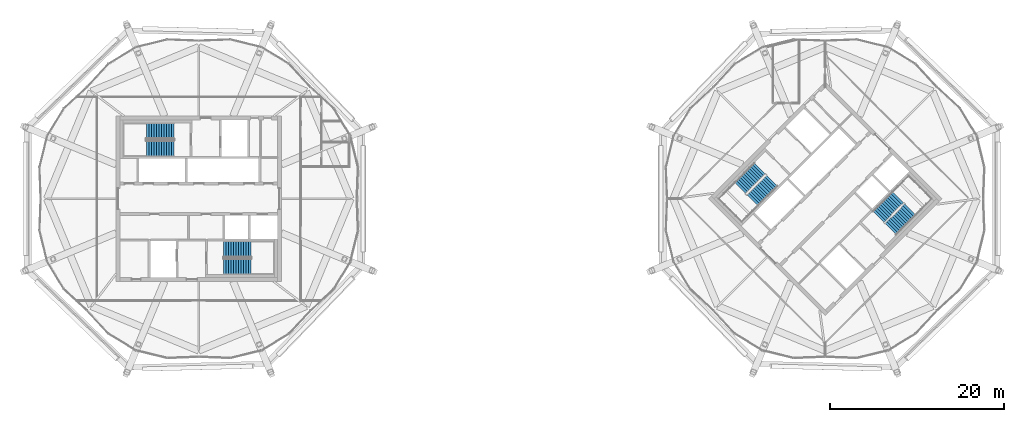
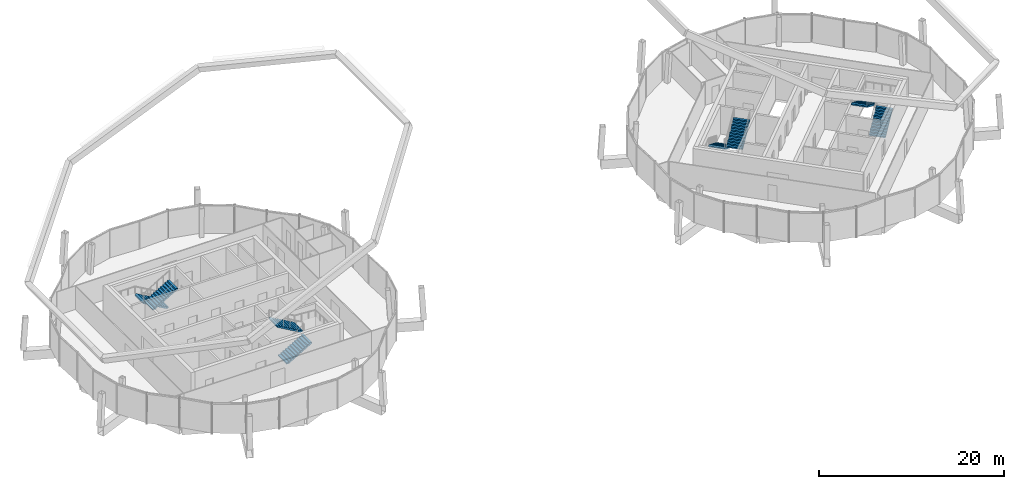
# One storey, part 32 of 34: 8 stair flights, 4 elements without a shape of their own.
"""IFC4 building model written with IfcOpenShell, lengths in metres."""

import ifcopenshell
import ifcopenshell.guid

model = None  # the IFC model being written
_history = None  # IfcOwnerHistory: only IFC2X3 demands one
_inside = {}  # id of a spatial element -> (the spatial element, [elements in it])
_under = {}  # id of a project, library or spatial element -> (it, [spatial elements below it])
_declared = {}  # id of a project -> (the project, [libraries it declares])
_typed = {}  # id of a type object -> (the type object, [elements of that type])
_made_of = {}  # id of a material, layer set ... -> (it, [elements and type objects made of it])


def new_model(schema):
    """Start an empty IFC model of exactly this schema.

    Asked for "IFC4X3", IfcOpenShell would pick the latest addendum, in which some entities
    have other attributes; the version numbers below select the first issue.
    IFC2X3 requires an IfcOwnerHistory on every rooted entity: one is made here for all.
    """
    global model, _history
    if schema == "IFC4X3":
        model = ifcopenshell.file(schema_version=(4, 3, 0, 0))
    else:
        model = ifcopenshell.file(schema=schema)
    _inside.clear()
    _under.clear()
    _declared.clear()
    _typed.clear()
    _made_of.clear()
    _history = None
    if model.schema == "IFC2X3":
        org = make("IfcOrganization", Name="unknown")
        user = make(
            "IfcPersonAndOrganization",
            ThePerson=make("IfcPerson", FamilyName="unknown"),
            TheOrganization=org,
        )
        app = make(
            "IfcApplication",
            ApplicationDeveloper=org,
            Version="unknown",
            ApplicationFullName="unknown",
            ApplicationIdentifier="unknown",
        )
        _history = make(
            "IfcOwnerHistory",
            OwningUser=user,
            OwningApplication=app,
            ChangeAction="ADDED",
            CreationDate=0,
        )
    return model


def make(cls, **values):
    """One entity of the class cls with the attributes given. An attribute that is None is left unset."""
    return model.create_entity(
        cls, **{name: value for name, value in values.items() if value is not None}
    )


def rooted(cls, **values):
    """An entity with a GlobalId (a new one), such as an element, a storey or a relation."""
    return make(cls, GlobalId=ifcopenshell.guid.new(), OwnerHistory=_history, **values)


def si_unit(unit_type, name, prefix=None):
    """IfcSIUnit, for example si_unit("LENGTHUNIT", "METRE", prefix="MILLI")."""
    return make("IfcSIUnit", UnitType=unit_type, Prefix=prefix, Name=name)


def assignment(units):
    """IfcUnitAssignment: the units of a project."""
    return None if units is None else make("IfcUnitAssignment", Units=units)


def point(xyz):
    """IfcCartesianPoint."""
    return None if xyz is None else make("IfcCartesianPoint", Coordinates=xyz)


def direction(xyz):
    """IfcDirection."""
    return None if xyz is None else make("IfcDirection", DirectionRatios=xyz)


def frame(location, z_axis=None, x_axis=None):
    """IfcAxis2Placement3D, a coordinate frame: its origin and axes. An axis left out is left unset."""
    return make(
        "IfcAxis2Placement3D",
        Location=point(location),
        Axis=direction(z_axis),
        RefDirection=direction(x_axis),
    )


def origin():
    """The frame at (0, 0, 0) with its axes left unset."""
    return frame((0.0, 0.0, 0.0))


def place(relative_to, where):
    """IfcLocalPlacement: puts the frame where relative to a parent placement (None: the world)."""
    return make(
        "IfcLocalPlacement", PlacementRelTo=relative_to, RelativePlacement=where
    )


def context(
    kind, dimensions, precision=None, world=None, true_north=None, identifier=None
):
    """IfcGeometricRepresentationContext, for example the 3D "Model" context."""
    return make(
        "IfcGeometricRepresentationContext",
        ContextIdentifier=identifier,
        ContextType=kind,
        CoordinateSpaceDimension=dimensions,
        Precision=precision,
        WorldCoordinateSystem=world,
        TrueNorth=true_north,
    )


def subcontext(parent, identifier, kind, view, scale=None):
    """IfcGeometricRepresentationSubContext, for example "Body" below "Model"."""
    return make(
        "IfcGeometricRepresentationSubContext",
        ContextIdentifier=identifier,
        ContextType=kind,
        ParentContext=parent,
        TargetScale=scale,
        TargetView=view,
    )


def project(units=None, contexts=None):
    """IfcProject with its units and contexts."""
    return rooted(
        "IfcProject",
        Name="project",
        RepresentationContexts=contexts,
        UnitsInContext=assignment(units),
    )


def spatial(cls, under=None, at=None, **own):
    """A site, building, storey or space (cls), placed at a placement, below another one or the project."""
    s = rooted(cls, ObjectPlacement=at, **own)
    if under is not None:
        _under.setdefault(under.id(), (under, []))[1].append(s)
    return s


def polyline(points):
    """IfcPolyline through the points."""
    return make("IfcPolyline", Points=[point(p) for p in points])


def outline(outer, holes=None, kind="AREA"):
    """IfcArbitraryClosedProfileDef: a profile drawn as a closed curve; with holes, ...WithVoids."""
    if holes is None:
        return make("IfcArbitraryClosedProfileDef", ProfileType=kind, OuterCurve=outer)
    return make(
        "IfcArbitraryProfileDefWithVoids",
        ProfileType=kind,
        OuterCurve=outer,
        InnerCurves=holes,
    )


def extrude(swept, where, along, depth):
    """IfcExtrudedAreaSolid: the profile swept, set in the frame where, extruded along a direction by depth."""
    return make(
        "IfcExtrudedAreaSolid",
        SweptArea=swept,
        Position=where,
        ExtrudedDirection=direction(along),
        Depth=depth,
    )


def shape(context_of_items, identifier, shape_type, items):
    """IfcShapeRepresentation: the items that make up one representation, for example the "Body"."""
    return make(
        "IfcShapeRepresentation",
        ContextOfItems=context_of_items,
        RepresentationIdentifier=identifier,
        RepresentationType=shape_type,
        Items=items,
    )


def material(Name=None, Category=None):
    """IfcMaterial."""
    return make("IfcMaterial", Name=Name, Category=Category)


def made_of(thing, what):
    """Note that an element or type object is made of a material, layer set ...; save() writes the relation."""
    if what is not None:
        _made_of.setdefault(what.id(), (what, []))[1].append(thing)
    return thing


def type_object(cls, material=None, **own):
    """A type object (cls), such as IfcWallType, which elements share."""
    return made_of(rooted(cls, **own), material)


def element(
    cls,
    number,
    at=None,
    inside=None,
    cuts=None,
    type_object=None,
    material=None,
    context=None,
    identifier="Body",
    shape_type=None,
    held_by="IfcProductDefinitionShape",
    body=None,
    shapes=None,
    **own,
):
    """One element of the class cls, such as IfcWall. Its Tag is "e" and its number.

    at: its placement. inside: the storey or other place that contains it. cuts: it is an
    opening in that element (IfcRelVoidsElement). A single representation is given by context,
    identifier, shape_type and body (its items); several are given by shapes. held_by: the class
    of the entity that holds the representations. save() writes the other relations.
    """
    e = rooted(cls, Tag="e%d" % number, ObjectPlacement=at, **own)
    if body is not None:
        shapes = [shape(context, identifier, shape_type, body)]
    if shapes is not None:
        e.Representation = make(held_by, Representations=shapes)
    if inside is not None:
        _inside.setdefault(inside.id(), (inside, []))[1].append(e)
    if cuts is not None:
        rooted(
            "IfcRelVoidsElement", RelatingBuildingElement=cuts, RelatedOpeningElement=e
        )
    if type_object is not None:
        _typed.setdefault(type_object.id(), (type_object, []))[1].append(e)
    return made_of(e, material)


def aggregate(whole, parts):
    """IfcRelAggregates: a whole, such as a stair, and the parts it consists of."""
    return rooted("IfcRelAggregates", RelatingObject=whole, RelatedObjects=parts)


def save(model, path):
    """Write the relations noted so far, then the file.

    IfcRelAggregates (storeys below a building ...), IfcRelContainedInSpatialStructure (elements
    in a storey), IfcRelDefinesByType, IfcRelAssociatesMaterial and IfcRelDeclares: one each for
    every whole, place, type object, material and project.
    """
    for whole, parts in _under.values():
        aggregate(whole, parts)
    for where, things in _inside.values():
        rooted(
            "IfcRelContainedInSpatialStructure",
            RelatedElements=things,
            RelatingStructure=where,
        )
    for kind, things in _typed.values():
        rooted("IfcRelDefinesByType", RelatedObjects=things, RelatingType=kind)
    for what, things in _made_of.values():
        rooted("IfcRelAssociatesMaterial", RelatedObjects=things, RelatingMaterial=what)
    for by, libraries in _declared.values():
        rooted("IfcRelDeclares", RelatingContext=by, RelatedDefinitions=libraries)
    model.write(path)


model = new_model("IFC4")

# Units and contexts
model_context = context("Model", 3, precision=1e-05, world=origin(), true_north=direction((0.0, 1.0)))
body_context = subcontext(model_context, "Body", "Model", "MODEL_VIEW")
ifc_project = project(units=[si_unit("LENGTHUNIT", "METRE"), si_unit("AREAUNIT", "SQUARE_METRE"), si_unit("VOLUMEUNIT", "CUBIC_METRE"), si_unit("PLANEANGLEUNIT", "RADIAN"), si_unit("MASSUNIT", "GRAM", prefix="KILO")], contexts=[model_context])

# Site, building, storey
site_placement = place(None, origin())
site = spatial("IfcSite", under=ifc_project, at=site_placement, CompositionType="ELEMENT")
building_placement = place(site_placement, origin())
building = spatial("IfcBuilding", under=site, at=building_placement, Name="Ogive Gate Towers", CompositionType="ELEMENT")
storey_placement = place(building_placement, frame((0.0, 0.0, 294.0)))
storey = spatial("IfcBuildingStorey", under=building, at=storey_placement, Name="L69", CompositionType="ELEMENT", Elevation=294.0)

# Stair, stair flights
ifc_material = material(Name="Concrete C40/50", Category="concrete")
stair_type = type_object("IfcStairType", Name="Escape stair 1840 wide", PredefinedType="HALF_TURN_STAIR", material=ifc_material)
stair_1_placement = place(storey_placement, origin())
stair_1 = element("IfcStair", 1, at=stair_1_placement, inside=storey, type_object=stair_type, Name="L69 Escape stair 1", PredefinedType="HALF_TURN_STAIR")
stair_flight_type = type_object("IfcStairFlightType", Name="Stair flight 1840 wide", PredefinedType="STRAIGHT", material=ifc_material)
stair_flight_1_placement = place(storey_placement, frame((-38.864990234375, 7.780029296875, 0.0), z_axis=(0.0, 0.0, 1.0), x_axis=(-1.0, 0.0, 0.0)))
stair_flight_1 = element("IfcStairFlight", 2, at=stair_flight_1_placement, type_object=stair_flight_type, Name="ST1 flight 1", NumberOfRisers=12, NumberOfTreads=11, PredefinedType="STRAIGHT", RiserHeight=0.166666667, TreadLength=0.2875, context=body_context, shape_type="SweptSolid", body=[
    extrude(outline(polyline([(0.0, 0.0), (0.0, 0.166748046875), (0.28759765625, 0.166748046875), (0.28759765625, 0.333251953125), (0.574951171875, 0.333251953125), (0.574951171875, 0.5), (0.862548828125, 0.5), (0.862548828125, 0.666748046875), (1.14990234375, 0.666748046875), (1.14990234375, 0.833251953125), (1.4375, 0.833251953125), (1.4375, 1.0), (1.72509765625, 1.0), (1.72509765625, 1.166748046875), (2.012451171875, 1.166748046875), (2.012451171875, 1.333251953125), (2.300048828125, 1.333251953125), (2.300048828125, 1.5), (2.58740234375, 1.5), (2.58740234375, 1.666748046875), (2.875, 1.666748046875), (2.875, 1.833251953125), (3.16259765625, 1.833251953125), (3.16259765625, 2.0), (3.16259765625, 1.66015625), (0.298828125, 0.0), (0.0, 0.0)])), frame((0.0, 0.919921875, 0.0), z_axis=(0.0, -1.0, 0.0), x_axis=(1.0, 0.0, 0.0)), (0.0, 0.0, 1.0), 1.840087890625),
])
stair_flight_2_placement = place(storey_placement, frame((-42.027587890625, 5.794921875, 2.0), z_axis=(0.0, 0.0, 1.0), x_axis=(1.0, 0.0, 0.0)))
stair_flight_2 = element("IfcStairFlight", 3, at=stair_flight_2_placement, type_object=stair_flight_type, Name="ST1 flight 2", NumberOfRisers=12, NumberOfTreads=11, PredefinedType="STRAIGHT", RiserHeight=0.166666667, TreadLength=0.2875, context=body_context, shape_type="SweptSolid", body=[
    extrude(outline(polyline([(0.0, 0.0), (0.0, 0.166748046875), (0.28759765625, 0.166748046875), (0.28759765625, 0.333251953125), (0.574951171875, 0.333251953125), (0.574951171875, 0.5), (0.862548828125, 0.5), (0.862548828125, 0.666748046875), (1.14990234375, 0.666748046875), (1.14990234375, 0.833251953125), (1.4375, 0.833251953125), (1.4375, 1.0), (1.72509765625, 1.0), (1.72509765625, 1.166748046875), (2.012451171875, 1.166748046875), (2.012451171875, 1.333251953125), (2.300048828125, 1.333251953125), (2.300048828125, 1.5), (2.58740234375, 1.5), (2.58740234375, 1.666748046875), (2.875, 1.666748046875), (2.875, 1.833251953125), (3.16259765625, 1.833251953125), (3.16259765625, 2.0), (3.16259765625, 1.66015625), (0.298828125, 0.0), (0.0, 0.0)])), frame((0.0, 0.919921875, 0.0), z_axis=(0.0, -1.0, 0.0), x_axis=(1.0, 0.0, 0.0)), (0.0, 0.0, 1.0), 1.840087890625),
])
aggregate(stair_1, [stair_flight_1, stair_flight_2])

stair_2_placement = place(storey_placement, origin())
stair_2 = element("IfcStair", 4, at=stair_2_placement, inside=storey, type_object=stair_type, Name="L69 Escape stair 2", PredefinedType="HALF_TURN_STAIR")
stair_flight_3_placement = place(storey_placement, frame((-33.135009765625, -7.780029296875, 0.0), z_axis=(0.0, 0.0, 1.0), x_axis=(1.0, 0.0, 0.0)))
stair_flight_3 = element("IfcStairFlight", 5, at=stair_flight_3_placement, type_object=stair_flight_type, Name="ST2 flight 1", NumberOfRisers=12, NumberOfTreads=11, PredefinedType="STRAIGHT", RiserHeight=0.166666667, TreadLength=0.2875, context=body_context, shape_type="SweptSolid", body=[
    extrude(outline(polyline([(0.0, 0.0), (0.0, 0.166748046875), (0.28759765625, 0.166748046875), (0.28759765625, 0.333251953125), (0.574951171875, 0.333251953125), (0.574951171875, 0.5), (0.862548828125, 0.5), (0.862548828125, 0.666748046875), (1.14990234375, 0.666748046875), (1.14990234375, 0.833251953125), (1.4375, 0.833251953125), (1.4375, 1.0), (1.72509765625, 1.0), (1.72509765625, 1.166748046875), (2.012451171875, 1.166748046875), (2.012451171875, 1.333251953125), (2.300048828125, 1.333251953125), (2.300048828125, 1.5), (2.58740234375, 1.5), (2.58740234375, 1.666748046875), (2.875, 1.666748046875), (2.875, 1.833251953125), (3.16259765625, 1.833251953125), (3.16259765625, 2.0), (3.16259765625, 1.66015625), (0.298828125, 0.0), (0.0, 0.0)])), frame((0.0, 0.919921875, 0.0), z_axis=(0.0, -1.0, 0.0), x_axis=(1.0, 0.0, 0.0)), (0.0, 0.0, 1.0), 1.840087890625),
])
stair_flight_4_placement = place(storey_placement, frame((-29.972412109375, -5.794921875, 2.0), z_axis=(0.0, 0.0, 1.0), x_axis=(-1.0, 0.0, 0.0)))
stair_flight_4 = element("IfcStairFlight", 6, at=stair_flight_4_placement, type_object=stair_flight_type, Name="ST2 flight 2", NumberOfRisers=12, NumberOfTreads=11, PredefinedType="STRAIGHT", RiserHeight=0.166666667, TreadLength=0.2875, context=body_context, shape_type="SweptSolid", body=[
    extrude(outline(polyline([(0.0, 0.0), (0.0, 0.166748046875), (0.28759765625, 0.166748046875), (0.28759765625, 0.333251953125), (0.574951171875, 0.333251953125), (0.574951171875, 0.5), (0.862548828125, 0.5), (0.862548828125, 0.666748046875), (1.14990234375, 0.666748046875), (1.14990234375, 0.833251953125), (1.4375, 0.833251953125), (1.4375, 1.0), (1.72509765625, 1.0), (1.72509765625, 1.166748046875), (2.012451171875, 1.166748046875), (2.012451171875, 1.333251953125), (2.300048828125, 1.333251953125), (2.300048828125, 1.5), (2.58740234375, 1.5), (2.58740234375, 1.666748046875), (2.875, 1.666748046875), (2.875, 1.833251953125), (3.16259765625, 1.833251953125), (3.16259765625, 2.0), (3.16259765625, 1.66015625), (0.298828125, 0.0), (0.0, 0.0)])), frame((0.0, 0.919921875, 0.0), z_axis=(0.0, -1.0, 0.0), x_axis=(1.0, 0.0, 0.0)), (0.0, 0.0, 1.0), 1.840087890625),
])
aggregate(stair_2, [stair_flight_3, stair_flight_4])

stair_3_placement = place(storey_placement, origin())
stair_3 = element("IfcStair", 7, at=stair_3_placement, inside=storey, type_object=stair_type, Name="L69 Escape stair 1", PredefinedType="HALF_TURN_STAIR")
stair_flight_5_placement = place(storey_placement, frame((28.472900390625, 3.475341796875, 0.0), z_axis=(0.0, 0.0, 1.0), x_axis=(-0.707106781187, -0.707106781187, 0.0)))
stair_flight_5 = element("IfcStairFlight", 8, at=stair_flight_5_placement, type_object=stair_flight_type, Name="ST1 flight 1", NumberOfRisers=12, NumberOfTreads=11, PredefinedType="STRAIGHT", RiserHeight=0.166666667, TreadLength=0.2875, context=body_context, shape_type="SweptSolid", body=[
    extrude(outline(polyline([(0.0, 0.0), (0.0, 0.166748046875), (0.28759765625, 0.166748046875), (0.28759765625, 0.333251953125), (0.574951171875, 0.333251953125), (0.574951171875, 0.5), (0.862548828125, 0.5), (0.862548828125, 0.666748046875), (1.14990234375, 0.666748046875), (1.14990234375, 0.833251953125), (1.4375, 0.833251953125), (1.4375, 1.0), (1.72509765625, 1.0), (1.72509765625, 1.166748046875), (2.012451171875, 1.166748046875), (2.012451171875, 1.333251953125), (2.300048828125, 1.333251953125), (2.300048828125, 1.5), (2.58740234375, 1.5), (2.58740234375, 1.666748046875), (2.875, 1.666748046875), (2.875, 1.833251953125), (3.16259765625, 1.833251953125), (3.16259765625, 2.0), (3.16259765625, 1.66015625), (0.298828125, 0.0), (0.0, 0.0)])), frame((0.0, 0.919921875, 0.0), z_axis=(0.0, -1.0, 0.0), x_axis=(1.0, 0.0, 0.0)), (0.0, 0.0, 1.0), 1.840087890625),
])
stair_flight_6_placement = place(storey_placement, frame((27.64013671875, -0.164306640625, 2.0), z_axis=(0.0, 0.0, 1.0), x_axis=(0.707106781187, 0.707106781187, 0.0)))
stair_flight_6 = element("IfcStairFlight", 9, at=stair_flight_6_placement, type_object=stair_flight_type, Name="ST1 flight 2", NumberOfRisers=12, NumberOfTreads=11, PredefinedType="STRAIGHT", RiserHeight=0.166666667, TreadLength=0.2875, context=body_context, shape_type="SweptSolid", body=[
    extrude(outline(polyline([(0.0, 0.0), (0.0, 0.166748046875), (0.28759765625, 0.166748046875), (0.28759765625, 0.333251953125), (0.574951171875, 0.333251953125), (0.574951171875, 0.5), (0.862548828125, 0.5), (0.862548828125, 0.666748046875), (1.14990234375, 0.666748046875), (1.14990234375, 0.833251953125), (1.4375, 0.833251953125), (1.4375, 1.0), (1.72509765625, 1.0), (1.72509765625, 1.166748046875), (2.012451171875, 1.166748046875), (2.012451171875, 1.333251953125), (2.300048828125, 1.333251953125), (2.300048828125, 1.5), (2.58740234375, 1.5), (2.58740234375, 1.666748046875), (2.875, 1.666748046875), (2.875, 1.833251953125), (3.16259765625, 1.833251953125), (3.16259765625, 2.0), (3.16259765625, 1.66015625), (0.298828125, 0.0), (0.0, 0.0)])), frame((0.0, 0.919921875, 0.0), z_axis=(0.0, -1.0, 0.0), x_axis=(1.0, 0.0, 0.0)), (0.0, 0.0, 1.0), 1.840087890625),
])
aggregate(stair_3, [stair_flight_5, stair_flight_6])

stair_4_placement = place(storey_placement, origin())
stair_4 = element("IfcStair", 10, at=stair_4_placement, inside=storey, type_object=stair_type, Name="L69 Escape stair 2", PredefinedType="HALF_TURN_STAIR")
stair_flight_7_placement = place(storey_placement, frame((43.527099609375, -3.475341796875, 0.0), z_axis=(0.0, 0.0, 1.0), x_axis=(0.707106781187, 0.707106781187, 0.0)))
stair_flight_7 = element("IfcStairFlight", 11, at=stair_flight_7_placement, type_object=stair_flight_type, Name="ST2 flight 1", NumberOfRisers=12, NumberOfTreads=11, PredefinedType="STRAIGHT", RiserHeight=0.166666667, TreadLength=0.2875, context=body_context, shape_type="SweptSolid", body=[
    extrude(outline(polyline([(0.0, 0.0), (0.0, 0.166748046875), (0.28759765625, 0.166748046875), (0.28759765625, 0.333251953125), (0.574951171875, 0.333251953125), (0.574951171875, 0.5), (0.862548828125, 0.5), (0.862548828125, 0.666748046875), (1.14990234375, 0.666748046875), (1.14990234375, 0.833251953125), (1.4375, 0.833251953125), (1.4375, 1.0), (1.72509765625, 1.0), (1.72509765625, 1.166748046875), (2.012451171875, 1.166748046875), (2.012451171875, 1.333251953125), (2.300048828125, 1.333251953125), (2.300048828125, 1.5), (2.58740234375, 1.5), (2.58740234375, 1.666748046875), (2.875, 1.666748046875), (2.875, 1.833251953125), (3.16259765625, 1.833251953125), (3.16259765625, 2.0), (3.16259765625, 1.66015625), (0.298828125, 0.0), (0.0, 0.0)])), frame((0.0, 0.919921875, 0.0), z_axis=(0.0, -1.0, 0.0), x_axis=(1.0, 0.0, 0.0)), (0.0, 0.0, 1.0), 1.840087890625),
])
stair_flight_8_placement = place(storey_placement, frame((44.35986328125, 0.164306640625, 2.0), z_axis=(0.0, 0.0, 1.0), x_axis=(-0.707106781187, -0.707106781187, 0.0)))
stair_flight_8 = element("IfcStairFlight", 12, at=stair_flight_8_placement, type_object=stair_flight_type, Name="ST2 flight 2", NumberOfRisers=12, NumberOfTreads=11, PredefinedType="STRAIGHT", RiserHeight=0.166666667, TreadLength=0.2875, context=body_context, shape_type="SweptSolid", body=[
    extrude(outline(polyline([(0.0, 0.0), (0.0, 0.166748046875), (0.28759765625, 0.166748046875), (0.28759765625, 0.333251953125), (0.574951171875, 0.333251953125), (0.574951171875, 0.5), (0.862548828125, 0.5), (0.862548828125, 0.666748046875), (1.14990234375, 0.666748046875), (1.14990234375, 0.833251953125), (1.4375, 0.833251953125), (1.4375, 1.0), (1.72509765625, 1.0), (1.72509765625, 1.166748046875), (2.012451171875, 1.166748046875), (2.012451171875, 1.333251953125), (2.300048828125, 1.333251953125), (2.300048828125, 1.5), (2.58740234375, 1.5), (2.58740234375, 1.666748046875), (2.875, 1.666748046875), (2.875, 1.833251953125), (3.16259765625, 1.833251953125), (3.16259765625, 2.0), (3.16259765625, 1.66015625), (0.298828125, 0.0), (0.0, 0.0)])), frame((0.0, 0.919921875, 0.0), z_axis=(0.0, -1.0, 0.0), x_axis=(1.0, 0.0, 0.0)), (0.0, 0.0, 1.0), 1.840087890625),
])
aggregate(stair_4, [stair_flight_7, stair_flight_8])

save(model, "model.ifc")
